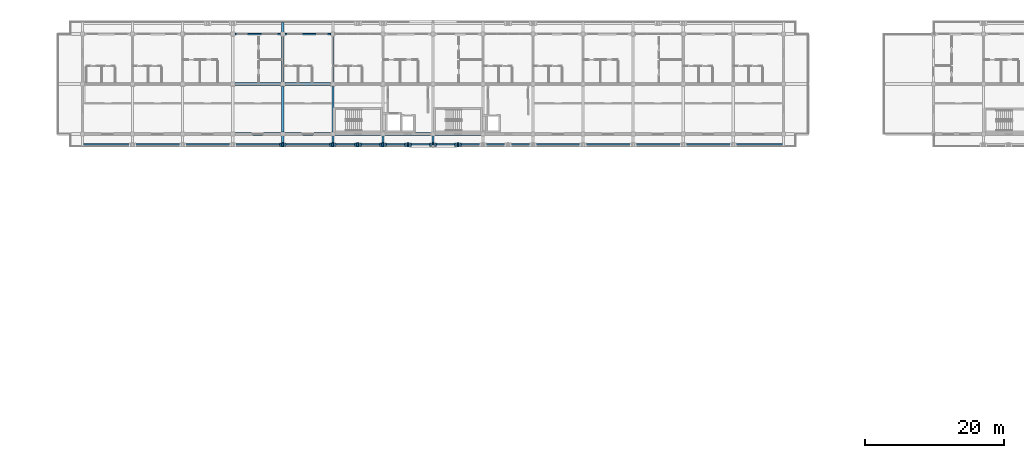
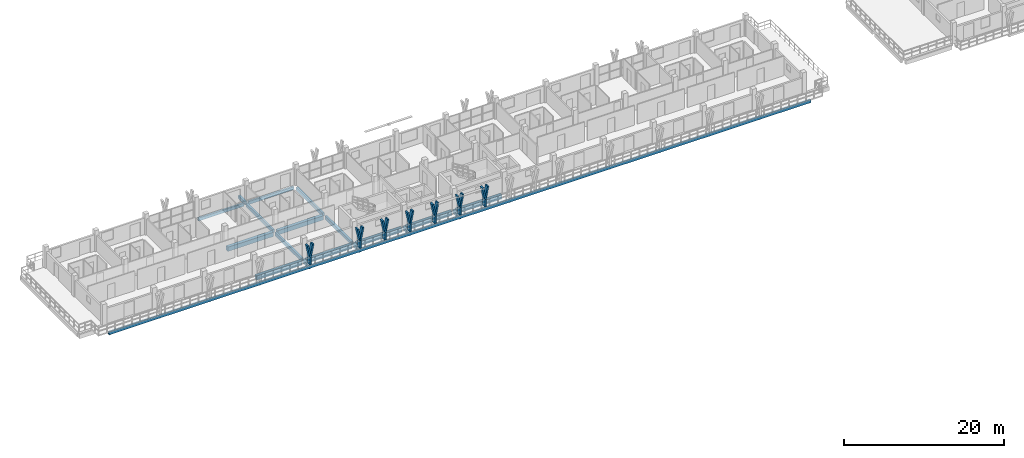
# One storey, part 10 of 73: 21 members, 19 beams.
"""IFC4 building model written with IfcOpenShell, lengths in metres."""

from ifc_helpers import new_model, si_unit, direction, frame, origin, origin_2d, place, context, subcontext, project, spatial, rectangle, extrude, material, material_profile, profile_set, type_object, element, save


model = new_model("IFC4")

# Units and contexts
model_context = context("Model", 3, precision=1e-05, world=origin(), true_north=direction((0.0, 1.0)))
body_context = subcontext(model_context, "Body", "Model", "MODEL_VIEW")
ifc_project = project(units=[si_unit("LENGTHUNIT", "METRE"), si_unit("AREAUNIT", "SQUARE_METRE"), si_unit("VOLUMEUNIT", "CUBIC_METRE"), si_unit("PLANEANGLEUNIT", "RADIAN"), si_unit("MASSUNIT", "GRAM", prefix="KILO")], contexts=[model_context])

# Site, building, storey
site_placement = place(None, origin())
site = spatial("IfcSite", under=ifc_project, at=site_placement, CompositionType="ELEMENT")
building_placement = place(site_placement, origin())
building = spatial("IfcBuilding", under=site, at=building_placement, Name="Suanplinth Sawtooth Commons", CompositionType="ELEMENT")
storey_placement = place(building_placement, frame((0.0, 0.0, 21.89990234375)))
storey = spatial("IfcBuildingStorey", under=building, at=storey_placement, Name="L06", CompositionType="ELEMENT", Elevation=21.89990234375)

# Beams
ifc_material_1 = material(Name="Precast concrete C40/50", Category="concrete")
ifc_material_profile_1 = material_profile(ifc_material_1, rectangle(XDim=0.449951171875, YDim=0.64990234375, at=origin_2d()), Name="PC-GDR 450x650")
ifc_profile_set_1 = profile_set([ifc_material_profile_1], Name="Precast concrete C40/50")
beam_type_1 = type_object("IfcBeamType", Name="B-04", PredefinedType="USERDEFINED", material=ifc_profile_set_1)
for number, where, z_axis, x_axis, name in (
    (1, (29.125, 108.0, -0.56494140625), (1.0, 0.0, 0.0), (0.0, 1.0, 0.0), "BMX-L06-A-4-15"),
    (2, (29.125, 115.199951171875, -0.56494140625), (1.0, 0.0, 0.0), (0.0, 1.0, 0.0), "BMX-L06-A-4-16"),
    (3, (36.324951171875, 108.0, -0.56494140625), (1.0, 0.0, 0.0), (0.0, 1.0, 0.0), "BMX-L06-A-5-15"),
    (4, (36.324951171875, 115.199951171875, -0.56494140625), (1.0, 0.0, 0.0), (0.0, 1.0, 0.0), "BMX-L06-A-5-16"),
    (5, (43.52490234375, 108.0, -0.56494140625), (1.0, 0.0, 0.0), (0.0, 1.0, 0.0), "BMX-L06-A-6-15"),
):
    element("IfcBeam", number, at=place(storey_placement, frame(where, z_axis=z_axis, x_axis=x_axis)), inside=storey, type_object=beam_type_1, Name=name, ObjectType="GIRDER", PredefinedType="USERDEFINED", context=body_context, shape_type="SweptSolid", body=[
        extrude(rectangle(XDim=0.449951171875, YDim=0.64990234375, at=origin_2d()), origin(), (0.0, 0.0, 1.0), 6.550048828125),
    ])
beam_1_placement = place(storey_placement, frame((50.72509765625, 108.0, -0.56494140625), z_axis=(1.0, 0.0, 0.0), x_axis=(0.0, 1.0, 0.0)))
element("IfcBeam", 6, at=beam_1_placement, inside=storey, type_object=beam_type_1, Name="BMX-L06-A-7-15", ObjectType="GIRDER", PredefinedType="USERDEFINED", context=body_context, shape_type="SweptSolid", body=[
    extrude(rectangle(XDim=0.449951171875, YDim=0.64990234375, at=origin_2d()), origin(), (0.0, 0.0, 1.0), 6.5498046875),
])
beam_2_placement = place(storey_placement, frame((57.925048828125, 108.0, -0.56494140625), z_axis=(1.0, 0.0, 0.0), x_axis=(0.0, 1.0, 0.0)))
element("IfcBeam", 7, at=beam_2_placement, inside=storey, type_object=beam_type_1, Name="BMX-L06-A-8-15", ObjectType="GIRDER", PredefinedType="USERDEFINED", context=body_context, shape_type="SweptSolid", body=[
    extrude(rectangle(XDim=0.449951171875, YDim=0.64990234375, at=origin_2d()), origin(), (0.0, 0.0, 1.0), 6.550048828125),
])
ifc_material_profile_2 = material_profile(ifc_material_1, rectangle(XDim=0.300048828125, YDim=0.5, at=origin_2d()), Name="PC-BM 300x500")
ifc_profile_set_2 = profile_set([ifc_material_profile_2], Name="Precast concrete C40/50")
beam_type_2 = type_object("IfcBeamType", Name="B-07", PredefinedType="BEAM", material=ifc_profile_set_2)
for number, where, z_axis, x_axis, name in (
    (8, (36.0, 108.324951171875, -0.489990234375), (0.0, 1.0, 0.0), (-1.0, 0.0, 0.0), "BMY-L06-A-5-15"),
    (9, (36.0, 115.52490234375, -0.489990234375), (0.0, 1.0, 0.0), (-1.0, 0.0, 0.0), "BMY-L06-A-5-16"),
    (10, (43.199951171875, 108.324951171875, -0.489990234375), (0.0, 1.0, 0.0), (-1.0, 0.0, 0.0), "BMY-L06-A-6-15"),
    (11, (43.199951171875, 115.52490234375, -0.489990234375), (0.0, 1.0, 0.0), (-1.0, 0.0, 0.0), "BMY-L06-A-6-16"),
):
    element("IfcBeam", number, at=place(storey_placement, frame(where, z_axis=z_axis, x_axis=x_axis)), inside=storey, type_object=beam_type_2, Name=name, PredefinedType="BEAM", context=body_context, shape_type="SweptSolid", body=[
        extrude(rectangle(XDim=0.300048828125, YDim=0.5, at=origin_2d()), origin(), (0.0, 0.0, 1.0), 6.550048828125),
    ])
beam_3_placement = place(storey_placement, frame((36.0, 122.39990234375, -0.429931640625), z_axis=(0.0, 1.0, 0.0), x_axis=(-1.0, 0.0, 0.0)))
element("IfcBeam", 12, at=beam_3_placement, inside=storey, type_object=beam_type_2, Name="Balcony Outrigger L06-A-N-5", PredefinedType="BEAM", context=body_context, shape_type="SweptSolid", body=[
    extrude(rectangle(XDim=0.300048828125, YDim=0.5, at=origin_2d()), origin(), (0.0, 0.0, 1.0), 1.64013671875),
])
for number, where, z_axis, x_axis, name in (
    (13, (36.0, 108.0, -0.429931640625), (0.0, -1.0, 0.0), (1.0, 0.0, 0.0), "Balcony Outrigger L06-A-S-5"),
    (14, (43.199951171875, 108.0, -0.429931640625), (0.0, -1.0, 0.0), (1.0, 0.0, 0.0), "Balcony Outrigger L06-A-S-6"),
    (15, (50.39990234375, 108.0, -0.429931640625), (0.0, -1.0, 0.0), (1.0, 0.0, 0.0), "Balcony Outrigger L06-A-S-7"),
    (16, (57.60009765625, 108.0, -0.429931640625), (0.0, -1.0, 0.0), (1.0, 0.0, 0.0), "Balcony Outrigger L06-A-S-8"),
):
    element("IfcBeam", number, at=place(storey_placement, frame(where, z_axis=z_axis, x_axis=x_axis)), inside=storey, type_object=beam_type_2, Name=name, PredefinedType="BEAM", context=body_context, shape_type="SweptSolid", body=[
        extrude(rectangle(XDim=0.300048828125, YDim=0.5, at=origin_2d()), origin(), (0.0, 0.0, 1.0), 1.639892578125),
    ])
ifc_material_profile_3 = material_profile(ifc_material_1, rectangle(XDim=0.25, YDim=0.449951171875, at=origin_2d()), Name="PC-SP 250x450")
ifc_profile_set_3 = profile_set([ifc_material_profile_3], Name="Precast concrete C40/50")
beam_type_3 = type_object("IfcBeamType", Name="B-09", PredefinedType="SPANDREL", material=ifc_profile_set_3)
for number, where, z_axis, x_axis, name in (
    (17, (29.125, 122.39990234375, -0.46484375), (1.0, 0.0, 0.0), (0.0, 1.0, 0.0), "BMX-L06-A-4-17"),
    (18, (36.324951171875, 122.39990234375, -0.46484375), (1.0, 0.0, 0.0), (0.0, 1.0, 0.0), "BMX-L06-A-5-17"),
):
    element("IfcBeam", number, at=place(storey_placement, frame(where, z_axis=z_axis, x_axis=x_axis)), inside=storey, type_object=beam_type_3, Name=name, PredefinedType="SPANDREL", context=body_context, shape_type="SweptSolid", body=[
        extrude(rectangle(XDim=0.25, YDim=0.449951171875, at=origin_2d()), origin(), (0.0, 0.0, 1.0), 6.550048828125),
    ])
beam_4_placement = place(storey_placement, frame((7.050048828125, 106.47998046875, -0.40478515625), z_axis=(1.0, 0.0, 0.0), x_axis=(0.0, 1.0, 0.0)))
element("IfcBeam", 19, at=beam_4_placement, inside=storey, type_object=beam_type_3, Name="Balcony Edge Fascia L06-A-S", PredefinedType="SPANDREL", context=body_context, shape_type="SweptSolid", body=[
    extrude(rectangle(XDim=0.25, YDim=0.449951171875, at=origin_2d()), origin(), (0.0, 0.0, 1.0), 101.099853515625),
])

# Members
ifc_material_2 = material(Name="Pigmented precast concrete C40/50", Category="concrete")
ifc_material_profile_4 = material_profile(ifc_material_2, rectangle(XDim=0.260009765625, YDim=0.550048828125, at=origin_2d()), Name="PC-FIN 260x550")
ifc_profile_set_4 = profile_set([ifc_material_profile_4], Name="Pigmented precast concrete C40/50")
member_type_1 = type_object("IfcMemberType", Name="M-09", PredefinedType="USERDEFINED", material=ifc_profile_set_4)
for number, where, z_axis, x_axis, name in (
    (20, (36.0, 106.47998046875, 0.0), (0.0, 0.0, 1.0), (1.0, 0.0, 0.0), "Y-Blade Stem L06-A-S-12"),
    (21, (43.199951171875, 106.47998046875, 0.0), (0.0, 0.0, 1.0), (1.0, 0.0, 0.0), "Y-Blade Stem L06-A-S-13"),
    (22, (46.800048828125, 106.47998046875, 0.0), (0.0, 0.0, 1.0), (1.0, 0.0, 0.0), "Y-Blade Stem L06-A-S-14"),
    (23, (50.39990234375, 106.47998046875, 0.0), (0.0, 0.0, 1.0), (1.0, 0.0, 0.0), "Y-Blade Stem L06-A-S-15"),
    (24, (54.0, 106.47998046875, 0.0), (0.0, 0.0, 1.0), (1.0, 0.0, 0.0), "Y-Blade Stem L06-A-S-16"),
    (25, (57.60009765625, 106.47998046875, 0.0), (0.0, 0.0, 1.0), (1.0, 0.0, 0.0), "Y-Blade Stem L06-A-S-17"),
    (26, (61.199951171875, 106.47998046875, 0.0), (0.0, 0.0, 1.0), (1.0, 0.0, 0.0), "Y-Blade Stem L06-A-S-18"),
):
    element("IfcMember", number, at=place(storey_placement, frame(where, z_axis=z_axis, x_axis=x_axis)), inside=storey, type_object=member_type_1, Name=name, ObjectType="SHADING FIN", PredefinedType="USERDEFINED", context=body_context, shape_type="SweptSolid", body=[
        extrude(rectangle(XDim=0.260009765625, YDim=0.550048828125, at=origin_2d()), origin(), (0.0, 0.0, 1.0), 1.170166015625),
    ])
ifc_material_profile_5 = material_profile(ifc_material_2, rectangle(XDim=0.219970703125, YDim=0.550048828125, at=origin_2d()), Name="PC-FIN 220x550")
ifc_profile_set_5 = profile_set([ifc_material_profile_5], Name="Pigmented precast concrete C40/50")
member_type_2 = type_object("IfcMemberType", Name="M-10", PredefinedType="USERDEFINED", material=ifc_profile_set_5)
for number, where, z_axis, x_axis, name in (
    (27, (36.0, 106.47998046875, 1.130126953125), (-0.196431120402, 0.0, 0.980517626021), (0.980517626021, 0.0, 0.196431120402), "Y-Blade Arm L L06-A-S-12"),
    (28, (36.0, 106.47998046875, 1.130126953125), (0.196431120402, 0.0, 0.980517626021), (-0.980517626021, 0.0, 0.196431120402), "Y-Blade Arm R L06-A-S-12"),
):
    element("IfcMember", number, at=place(storey_placement, frame(where, z_axis=z_axis, x_axis=x_axis)), inside=storey, type_object=member_type_2, Name=name, ObjectType="SHADING FIN", PredefinedType="USERDEFINED", context=body_context, shape_type="SweptSolid", body=[
        extrude(rectangle(XDim=0.219970703125, YDim=0.550048828125, at=origin_2d()), origin(), (0.0, 0.0, 1.0), 1.937744140625),
    ])
member_1_placement = place(storey_placement, frame((43.199951171875, 106.47998046875, 1.130126953125), z_axis=(-0.196309979414, 0.0, 0.980541886909), x_axis=(0.980541886909, 0.0, 0.196309979414)))
element("IfcMember", 29, at=member_1_placement, inside=storey, type_object=member_type_2, Name="Y-Blade Arm L L06-A-S-13", ObjectType="SHADING FIN", PredefinedType="USERDEFINED", context=body_context, shape_type="SweptSolid", body=[
    extrude(rectangle(XDim=0.219970703125, YDim=0.550048828125, at=origin_2d()), origin(), (0.0, 0.0, 1.0), 1.9375),
])
for number, where, z_axis, x_axis, name in (
    (30, (43.199951171875, 106.47998046875, 1.130126953125), (0.196431120402, 0.0, 0.980517626021), (-0.980517626021, 0.0, 0.196431120402), "Y-Blade Arm R L06-A-S-13"),
    (31, (46.800048828125, 106.47998046875, 1.130126953125), (-0.196431120402, 0.0, 0.980517626021), (0.980517626021, 0.0, 0.196431120402), "Y-Blade Arm L L06-A-S-14"),
):
    element("IfcMember", number, at=place(storey_placement, frame(where, z_axis=z_axis, x_axis=x_axis)), inside=storey, type_object=member_type_2, Name=name, ObjectType="SHADING FIN", PredefinedType="USERDEFINED", context=body_context, shape_type="SweptSolid", body=[
        extrude(rectangle(XDim=0.219970703125, YDim=0.550048828125, at=origin_2d()), origin(), (0.0, 0.0, 1.0), 1.937744140625),
    ])
for number, where, z_axis, x_axis, name in (
    (32, (46.800048828125, 106.47998046875, 1.130126953125), (0.196309979414, 0.0, 0.980541886909), (-0.980541886909, 0.0, 0.196309979414), "Y-Blade Arm R L06-A-S-14"),
    (33, (50.39990234375, 106.47998046875, 1.130126953125), (-0.196309979414, 0.0, 0.980541886909), (0.980541886909, 0.0, 0.196309979414), "Y-Blade Arm L L06-A-S-15"),
):
    element("IfcMember", number, at=place(storey_placement, frame(where, z_axis=z_axis, x_axis=x_axis)), inside=storey, type_object=member_type_2, Name=name, ObjectType="SHADING FIN", PredefinedType="USERDEFINED", context=body_context, shape_type="SweptSolid", body=[
        extrude(rectangle(XDim=0.219970703125, YDim=0.550048828125, at=origin_2d()), origin(), (0.0, 0.0, 1.0), 1.9375),
    ])
for number, where, z_axis, x_axis, name in (
    (34, (50.39990234375, 106.47998046875, 1.130126953125), (0.196431120402, 0.0, 0.980517626021), (-0.980517626021, 0.0, 0.196431120402), "Y-Blade Arm R L06-A-S-15"),
    (35, (54.0, 106.47998046875, 1.130126953125), (-0.196431120402, 0.0, 0.980517626021), (0.980517626021, 0.0, 0.196431120402), "Y-Blade Arm L L06-A-S-16"),
    (36, (54.0, 106.47998046875, 1.130126953125), (0.196431120402, 0.0, 0.980517626021), (-0.980517626021, 0.0, 0.196431120402), "Y-Blade Arm R L06-A-S-16"),
    (37, (57.60009765625, 106.47998046875, 1.130126953125), (-0.196431120402, 0.0, 0.980517626021), (0.980517626021, 0.0, 0.196431120402), "Y-Blade Arm L L06-A-S-17"),
):
    element("IfcMember", number, at=place(storey_placement, frame(where, z_axis=z_axis, x_axis=x_axis)), inside=storey, type_object=member_type_2, Name=name, ObjectType="SHADING FIN", PredefinedType="USERDEFINED", context=body_context, shape_type="SweptSolid", body=[
        extrude(rectangle(XDim=0.219970703125, YDim=0.550048828125, at=origin_2d()), origin(), (0.0, 0.0, 1.0), 1.937744140625),
    ])
for number, where, z_axis, x_axis, name in (
    (38, (57.60009765625, 106.47998046875, 1.130126953125), (0.196309979414, 0.0, 0.980541886909), (-0.980541886909, 0.0, 0.196309979414), "Y-Blade Arm R L06-A-S-17"),
    (39, (61.199951171875, 106.47998046875, 1.130126953125), (-0.196309979414, 0.0, 0.980541886909), (0.980541886909, 0.0, 0.196309979414), "Y-Blade Arm L L06-A-S-18"),
):
    element("IfcMember", number, at=place(storey_placement, frame(where, z_axis=z_axis, x_axis=x_axis)), inside=storey, type_object=member_type_2, Name=name, ObjectType="SHADING FIN", PredefinedType="USERDEFINED", context=body_context, shape_type="SweptSolid", body=[
        extrude(rectangle(XDim=0.219970703125, YDim=0.550048828125, at=origin_2d()), origin(), (0.0, 0.0, 1.0), 1.9375),
    ])
member_2_placement = place(storey_placement, frame((61.199951171875, 106.47998046875, 1.130126953125), z_axis=(0.196431120402, 0.0, 0.980517626021), x_axis=(-0.980517626021, 0.0, 0.196431120402)))
element("IfcMember", 40, at=member_2_placement, inside=storey, type_object=member_type_2, Name="Y-Blade Arm R L06-A-S-18", ObjectType="SHADING FIN", PredefinedType="USERDEFINED", context=body_context, shape_type="SweptSolid", body=[
    extrude(rectangle(XDim=0.219970703125, YDim=0.550048828125, at=origin_2d()), origin(), (0.0, 0.0, 1.0), 1.937744140625),
])

save(model, "model.ifc")
